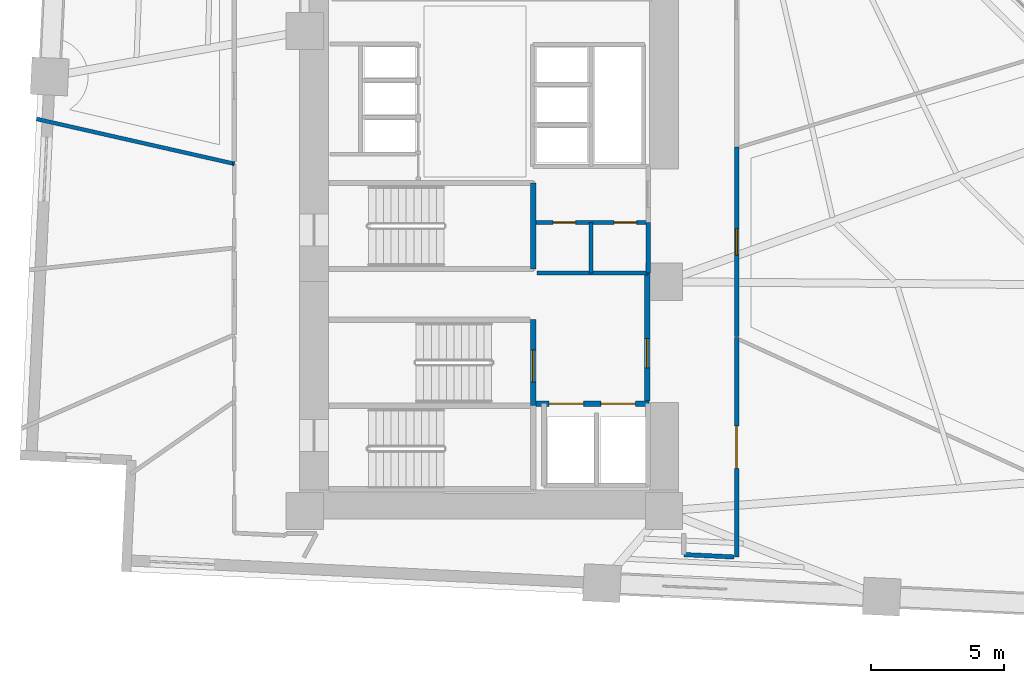
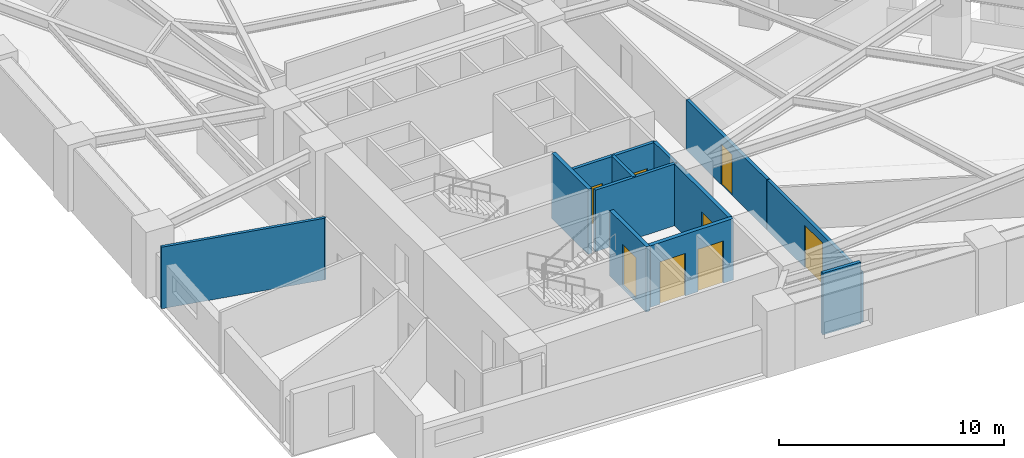
# One storey, part 14 of 18: 13 walls, 8 doors, 8 openings.
"""IFC4 building model written with IfcOpenShell, lengths in metres."""

from ifc_helpers import new_model, si_unit, direction, frame, frame_2d, origin, place, context, subcontext, project, spatial, rectangle, extrude, material, layer, layer_set, type_object, element, fill, save


model = new_model("IFC4")

# Units and contexts
model_context = context("Model", 3, precision=1e-05, world=origin(), true_north=direction((0.0, 1.0)))
body_context = subcontext(model_context, "Body", "Model", "MODEL_VIEW")
ifc_project = project(units=[si_unit("LENGTHUNIT", "METRE"), si_unit("AREAUNIT", "SQUARE_METRE"), si_unit("VOLUMEUNIT", "CUBIC_METRE"), si_unit("PLANEANGLEUNIT", "RADIAN"), si_unit("MASSUNIT", "GRAM", prefix="KILO")], contexts=[model_context])

# Site, building, storey
site_placement = place(None, origin())
site = spatial("IfcSite", under=ifc_project, at=site_placement, CompositionType="ELEMENT")
building_placement = place(site_placement, origin())
building = spatial("IfcBuilding", under=site, at=building_placement, Name="Narakoshi Arena Tower", CompositionType="ELEMENT")
storey_placement = place(building_placement, frame((0.0, 0.0, 44.699951171875)))
storey = spatial("IfcBuildingStorey", under=building, at=storey_placement, Name="L11", CompositionType="ELEMENT", Elevation=44.699951171875)

# Wall, opening, door
ifc_material_1 = material(Name="Gypsum plasterboard fire-rated partition")
ifc_layer_1 = layer(ifc_material_1, 0.1650390625)
ifc_layer_set_1 = layer_set([ifc_layer_1], Name="Gypsum plasterboard fire-rated partition")
wall_type_1 = type_object("IfcWallType", Name="WL-CORR-165", PredefinedType="PARTITIONING", material=ifc_layer_set_1)
wall_1_placement = place(storey_placement, frame((88.28759765625, 32.9619140625, 0.0), z_axis=(0.0, 0.0, 1.0), x_axis=(0.0, 1.0, 0.0)))
wall_1 = element("IfcWall", 1, at=wall_1_placement, inside=storey, type_object=wall_type_1, Name="L11 Corridor Partition 05-1", PredefinedType="PARTITIONING", context=body_context, shape_type="SweptSolid", body=[
    extrude(rectangle(XDim=8.291259765625, YDim=0.1650390625, at=frame_2d((4.1455078125, 0.0))), origin(), (0.0, 0.0, 1.0), 2.72509765625),
])
opening_1_placement = place(wall_1_placement, frame((3.345703125, 0.0, 0.0)))
opening_1 = element("IfcOpeningElement", 2, at=opening_1_placement, cuts=wall_1, Name="Opening D-05", PredefinedType="OPENING", context=body_context, shape_type="SweptSolid", body=[
    extrude(rectangle(XDim=1.60009765625, YDim=2.300048828125, at=frame_2d((0.800048828125, 1.14990234375))), frame((0.0, 0.092529296875, 0.0), z_axis=(0.0, -1.0, 0.0), x_axis=(1.0, 0.0, 0.0)), (0.0, 0.0, 1.0), 0.18505859375),
])
ifc_material_2 = material(Name="Stained oak solid-core timber", Category="wood")
door_type_1 = type_object("IfcDoorType", Name="DR-STE-1600", OperationType="DOUBLE_DOOR_SINGLE_SWING", PredefinedType="DOOR", material=ifc_material_2)
door_1_placement = place(opening_1_placement, frame((1.60009765625, 0.0, 0.0), z_axis=(0.0, 0.0, 1.0), x_axis=(-1.0, 0.0, 0.0)))
door_1 = element("IfcDoor", 3, at=door_1_placement, inside=storey, type_object=door_type_1, Name="DR-L11-018", OperationType="DOUBLE_DOOR_SINGLE_SWING", OverallHeight=2.300048828125, OverallWidth=1.60009765625, PredefinedType="DOOR", context=body_context, shape_type="SweptSolid", body=[
    extrude(rectangle(XDim=1.60009765625, YDim=2.300048828125, at=frame_2d((0.800048828125, 1.14990234375))), frame((0.0, 0.02490234375, 0.0), z_axis=(0.0, -1.0, 0.0), x_axis=(1.0, 0.0, 0.0)), (0.0, 0.0, 1.0), 0.050048828125),
])
fill(opening_1, door_1)

# Wall
wall_2_placement = place(storey_placement, frame((86.300048828125, 33.057373046875, 0.0), z_axis=(0.0, 0.0, 1.0), x_axis=(0.9988449969, -0.048048643777, 0.0)))
element("IfcWall", 4, at=wall_2_placement, inside=storey, type_object=wall_type_1, Name="L11 Corridor Partition 05-2", PredefinedType="PARTITIONING", context=body_context, shape_type="SweptSolid", body=[
    extrude(rectangle(XDim=1.895263671875, YDim=0.1650390625, at=frame_2d((0.94775390625, 0.0))), origin(), (0.0, 0.0, 1.0), 3.340087890625),
])

# Wall, opening, door
wall_3_placement = place(storey_placement, frame((88.28759765625, 41.279541015625, 0.0), z_axis=(0.0, 0.0, 1.0), x_axis=(0.0, 1.0, 0.0)))
wall_3 = element("IfcWall", 5, at=wall_3_placement, inside=storey, type_object=wall_type_1, Name="L11 Corridor Partition 06-1", PredefinedType="PARTITIONING", context=body_context, shape_type="SweptSolid", body=[
    extrude(rectangle(XDim=7.145263671875, YDim=0.1650390625, at=frame_2d((3.57275390625, 0.0))), origin(), (0.0, 0.0, 1.0), 2.72509765625),
])
opening_2_placement = place(wall_3_placement, frame((3.072509765625, 0.0, 0.0)))
opening_2 = element("IfcOpeningElement", 6, at=opening_2_placement, cuts=wall_3, Name="Opening D-06", PredefinedType="OPENING", context=body_context, shape_type="SweptSolid", body=[
    extrude(rectangle(XDim=1.0, YDim=2.199951171875, at=frame_2d((0.5, 1.10009765625))), frame((0.0, 0.092529296875, 0.0), z_axis=(0.0, -1.0, 0.0), x_axis=(1.0, 0.0, 0.0)), (0.0, 0.0, 1.0), 0.18505859375),
])
door_type_2 = type_object("IfcDoorType", Name="DR-OFF-1000", OperationType="NOTDEFINED", PredefinedType="DOOR", material=ifc_material_2)
door_2_placement = place(opening_2_placement, frame((1.0, 0.0, 0.0), z_axis=(0.0, 0.0, 1.0), x_axis=(-1.0, 0.0, 0.0)))
door_2 = element("IfcDoor", 7, at=door_2_placement, inside=storey, type_object=door_type_2, Name="DR-L11-019", OperationType="SINGLE_SWING_RIGHT", OverallHeight=2.199951171875, OverallWidth=1.0, PredefinedType="DOOR", context=body_context, shape_type="SweptSolid", body=[
    extrude(rectangle(XDim=1.0, YDim=2.199951171875, at=frame_2d((0.5, 1.10009765625))), frame((0.0, 0.02490234375, 0.0), z_axis=(0.0, -1.0, 0.0), x_axis=(1.0, 0.0, 0.0)), (0.0, 0.0, 1.0), 0.050048828125),
])
fill(opening_2, door_2)

# Wall
ifc_material_3 = material(Name="Concrete C40/50", Category="concrete")
ifc_layer_2 = layer(ifc_material_3, 0.280029296875)
ifc_layer_set_2 = layer_set([ifc_layer_2], Name="Concrete C40/50")
wall_type_2 = type_object("IfcWallType", Name="WL-RISER-280", PredefinedType="PLUMBINGWALL", material=ifc_layer_set_2)
wall_4_placement = place(storey_placement, frame((84.949951171875, 43.679931640625, 0.0), z_axis=(0.0, 0.0, 1.0), x_axis=(0.0, 1.0, 0.0)))
element("IfcWall", 8, at=wall_4_placement, inside=storey, type_object=wall_type_2, Name="L11 Core Wall RSR-E", PredefinedType="PLUMBINGWALL", context=body_context, shape_type="SweptSolid", body=[
    extrude(rectangle(XDim=1.900146484375, YDim=0.1650390625, at=frame_2d((0.9501953125, 0.0))), origin(), (0.0, 0.0, 1.0), 3.340087890625),
])

# Wall, openings, doors
wall_5_placement = place(storey_placement, frame((80.719970703125, 45.580078125, 0.0), z_axis=(0.0, 0.0, 1.0), x_axis=(1.0, 0.0, 0.0)))
wall_5 = element("IfcWall", 9, at=wall_5_placement, inside=storey, type_object=wall_type_2, Name="L11 Core Wall RSR-N", PredefinedType="PLUMBINGWALL", context=body_context, shape_type="SweptSolid", body=[
    extrude(rectangle(XDim=4.22998046875, YDim=0.159912109375, at=frame_2d((2.114990234375, 0.0))), origin(), (0.0, 0.0, 1.0), 3.340087890625),
])
opening_3_placement = place(wall_5_placement, frame((0.64990234375, 0.0, 0.0)))
opening_3 = element("IfcOpeningElement", 10, at=opening_3_placement, cuts=wall_5, Name="Opening D-10", PredefinedType="OPENING", context=body_context, shape_type="SweptSolid", body=[
    extrude(rectangle(XDim=0.85009765625, YDim=2.050048828125, at=frame_2d((0.425048828125, 1.02490234375))), frame((0.0, 0.08984375, 0.0), z_axis=(0.0, -1.0, 0.0), x_axis=(1.0, 0.0, 0.0)), (0.0, 0.0, 1.0), 0.179931640625),
])
opening_4_placement = place(wall_5_placement, frame((2.949951171875, 0.0, 0.0)))
opening_4 = element("IfcOpeningElement", 11, at=opening_4_placement, cuts=wall_5, Name="Opening D-10", PredefinedType="OPENING", context=body_context, shape_type="SweptSolid", body=[
    extrude(rectangle(XDim=0.85009765625, YDim=2.050048828125, at=frame_2d((0.425048828125, 1.02490234375))), frame((0.0, 0.08984375, 0.0), z_axis=(0.0, -1.0, 0.0), x_axis=(1.0, 0.0, 0.0)), (0.0, 0.0, 1.0), 0.179931640625),
])
ifc_material_4 = material(Name="Painted galvanized steel", Category="steel")
door_type_3 = type_object("IfcDoorType", Name="DR-RSR-850", OperationType="NOTDEFINED", PredefinedType="DOOR", material=ifc_material_4)
door_3_placement = place(opening_3_placement, frame((0.85009765625, 0.0, 0.0), z_axis=(0.0, 0.0, 1.0), x_axis=(-1.0, 0.0, 0.0)))
door_3 = element("IfcDoor", 12, at=door_3_placement, inside=storey, type_object=door_type_3, Name="DR-L11-008", OperationType="SINGLE_SWING_LEFT", OverallHeight=2.050048828125, OverallWidth=0.85009765625, PredefinedType="DOOR", context=body_context, shape_type="SweptSolid", body=[
    extrude(rectangle(XDim=0.85009765625, YDim=2.050048828125, at=frame_2d((0.425048828125, 1.02490234375))), frame((0.0, 0.02490234375, 0.0), z_axis=(0.0, -1.0, 0.0), x_axis=(1.0, 0.0, 0.0)), (0.0, 0.0, 1.0), 0.050048828125),
])
fill(opening_3, door_3)
door_4_placement = place(opening_4_placement, frame((0.85009765625, 0.0, 0.0), z_axis=(0.0, 0.0, 1.0), x_axis=(-1.0, 0.0, 0.0)))
door_4 = element("IfcDoor", 13, at=door_4_placement, inside=storey, type_object=door_type_3, Name="DR-L11-009", OperationType="SINGLE_SWING_RIGHT", OverallHeight=2.050048828125, OverallWidth=0.85009765625, PredefinedType="DOOR", context=body_context, shape_type="SweptSolid", body=[
    extrude(rectangle(XDim=0.85009765625, YDim=2.050048828125, at=frame_2d((0.425048828125, 1.02490234375))), frame((0.0, 0.02490234375, 0.0), z_axis=(0.0, -1.0, 0.0), x_axis=(1.0, 0.0, 0.0)), (0.0, 0.0, 1.0), 0.050048828125),
])
fill(opening_4, door_4)

# Walls
wall_6_placement = place(storey_placement, frame((80.760009765625, 43.679931640625, 0.0), z_axis=(0.0, 0.0, 1.0), x_axis=(1.0, 0.0, 0.0)))
element("IfcWall", 14, at=wall_6_placement, inside=storey, type_object=wall_type_2, Name="L11 Core Wall RSR-S", PredefinedType="PLUMBINGWALL", context=body_context, shape_type="SweptSolid", body=[
    extrude(rectangle(XDim=4.18994140625, YDim=0.159912109375, at=frame_2d((2.094970703125, 0.0))), origin(), (0.0, 0.0, 1.0), 3.340087890625),
])
wall_7_placement = place(storey_placement, frame((82.800048828125, 43.679931640625, 0.0), z_axis=(0.0, 0.0, 1.0), x_axis=(0.0, 1.0, 0.0)))
element("IfcWall", 15, at=wall_7_placement, inside=storey, type_object=wall_type_2, Name="L11 Core Wall RSR-M", PredefinedType="PLUMBINGWALL", context=body_context, shape_type="SweptSolid", body=[
    extrude(rectangle(XDim=1.900146484375, YDim=0.159912109375, at=frame_2d((0.9501953125, 0.0))), origin(), (0.0, 0.0, 1.0), 3.340087890625),
])

# Wall, opening, door
ifc_material_5 = material(Name="Concrete C50/60", Category="concrete")
ifc_layer_3 = layer(ifc_material_5, 0.35009765625)
ifc_layer_set_3 = layer_set([ifc_layer_3], Name="Concrete C50/60")
wall_type_3 = type_object("IfcWallType", Name="WL-SHAFT-350", PredefinedType="SOLIDWALL", material=ifc_layer_set_3)
wall_8_placement = place(storey_placement, frame((80.6201171875, 38.675048828125, -0.199951171875), z_axis=(0.0, 0.0, 1.0), x_axis=(0.0, 1.0, 0.0)))
wall_8 = element("IfcWall", 16, at=wall_8_placement, inside=storey, type_object=wall_type_3, Name="L11 Core Wall ST2-E", PredefinedType="SOLIDWALL", context=body_context, shape_type="SweptSolid", body=[
    extrude(rectangle(XDim=3.244873046875, YDim=0.199951171875, at=frame_2d((1.62255859375, 0.0))), origin(), (0.0, 0.0, 1.0), 3.5400390625),
])
opening_5_placement = place(wall_8_placement, frame((0.89990234375, 0.0, 0.199951171875)))
opening_5 = element("IfcOpeningElement", 17, at=opening_5_placement, cuts=wall_8, Name="Opening D-03", PredefinedType="OPENING", context=body_context, shape_type="SweptSolid", body=[
    extrude(rectangle(XDim=1.199951171875, YDim=2.199951171875, at=frame_2d((0.60009765625, 1.10009765625))), frame((0.0, 0.10986328125, 0.0), z_axis=(0.0, -1.0, 0.0), x_axis=(1.0, 0.0, 0.0)), (0.0, 0.0, 1.0), 0.219970703125),
])
door_type_4 = type_object("IfcDoorType", Name="DR-STR-1200", OperationType="NOTDEFINED", PredefinedType="USERDEFINED", material=ifc_material_4)
door_5_placement = place(opening_5_placement, origin())
door_5 = element("IfcDoor", 18, at=door_5_placement, inside=storey, type_object=door_type_4, Name="DR-L11-002", ObjectType="EXITDOOR", OperationType="SINGLE_SWING_RIGHT", OverallHeight=2.199951171875, OverallWidth=1.199951171875, PredefinedType="USERDEFINED", context=body_context, shape_type="SweptSolid", body=[
    extrude(rectangle(XDim=1.199951171875, YDim=2.199951171875, at=frame_2d((0.60009765625, 1.10009765625))), frame((0.0, 0.02490234375, 0.0), z_axis=(0.0, -1.0, 0.0), x_axis=(1.0, 0.0, 0.0)), (0.0, 0.0, 1.0), 0.050048828125),
])
fill(opening_5, door_5)

# Wall, openings, doors
wall_9_placement = place(storey_placement, frame((80.719970703125, 38.75, 0.0), z_axis=(0.0, 0.0, 1.0), x_axis=(1.0, 0.0, 0.0)))
wall_9 = element("IfcWall", 19, at=wall_9_placement, inside=storey, type_object=wall_type_3, Name="L11 Core Wall FF-N", PredefinedType="SOLIDWALL", context=body_context, shape_type="SweptSolid", body=[
    extrude(rectangle(XDim=4.260009765625, YDim=0.199951171875, at=frame_2d((2.1298828125, 0.0))), origin(), (0.0, 0.0, 1.0), 3.340087890625),
])
opening_6_placement = place(wall_9_placement, frame((0.5, 0.0, 0.0)))
opening_6 = element("IfcOpeningElement", 20, at=opening_6_placement, cuts=wall_9, Name="Opening LD-02", PredefinedType="OPENING", context=body_context, shape_type="SweptSolid", body=[
    extrude(rectangle(XDim=1.300048828125, YDim=2.300048828125, at=frame_2d((0.64990234375, 1.14990234375))), frame((0.0, 0.10986328125, 0.0), z_axis=(0.0, -1.0, 0.0), x_axis=(1.0, 0.0, 0.0)), (0.0, 0.0, 1.0), 0.219970703125),
])
opening_7_placement = place(wall_9_placement, frame((2.449951171875, 0.0, 0.0)))
opening_7 = element("IfcOpeningElement", 21, at=opening_7_placement, cuts=wall_9, Name="Opening LD-02", PredefinedType="OPENING", context=body_context, shape_type="SweptSolid", body=[
    extrude(rectangle(XDim=1.300048828125, YDim=2.300048828125, at=frame_2d((0.64990234375, 1.14990234375))), frame((0.0, 0.10986328125, 0.0), z_axis=(0.0, -1.0, 0.0), x_axis=(1.0, 0.0, 0.0)), (0.0, 0.0, 1.0), 0.219970703125),
])
ifc_material_6 = material(Name="Brushed bronze stainless steel", Category="steel")
door_type_5 = type_object("IfcDoorType", Name="DR-LFT-1300", OperationType="DOUBLE_DOOR_SLIDING", PredefinedType="DOOR", material=ifc_material_6)
door_6_placement = place(opening_6_placement, origin())
door_6 = element("IfcDoor", 22, at=door_6_placement, inside=storey, type_object=door_type_5, Name="DR-L11-003", OperationType="DOUBLE_DOOR_SLIDING", OverallHeight=2.300048828125, OverallWidth=1.300048828125, PredefinedType="DOOR", context=body_context, shape_type="SweptSolid", body=[
    extrude(rectangle(XDim=1.300048828125, YDim=2.300048828125, at=frame_2d((0.64990234375, 1.14990234375))), frame((0.0, 0.02490234375, 0.0), z_axis=(0.0, -1.0, 0.0), x_axis=(1.0, 0.0, 0.0)), (0.0, 0.0, 1.0), 0.050048828125),
])
fill(opening_6, door_6)
door_7_placement = place(opening_7_placement, origin())
door_7 = element("IfcDoor", 23, at=door_7_placement, inside=storey, type_object=door_type_5, Name="DR-L11-004", OperationType="DOUBLE_DOOR_SLIDING", OverallHeight=2.300048828125, OverallWidth=1.300048828125, PredefinedType="DOOR", context=body_context, shape_type="SweptSolid", body=[
    extrude(rectangle(XDim=1.300048828125, YDim=2.300048828125, at=frame_2d((0.64990234375, 1.14990234375))), frame((0.0, 0.02490234375, 0.0), z_axis=(0.0, -1.0, 0.0), x_axis=(1.0, 0.0, 0.0)), (0.0, 0.0, 1.0), 0.050048828125),
])
fill(opening_7, door_7)

# Wall, opening, door
wall_10_placement = place(storey_placement, frame((84.919921875, 38.85009765625, 0.0), z_axis=(0.0, 0.0, 1.0), x_axis=(0.0, 1.0, 0.0)))
wall_10 = element("IfcWall", 24, at=wall_10_placement, inside=storey, type_object=wall_type_3, Name="L11 Core Wall FFLOB-E", PredefinedType="SOLIDWALL", context=body_context, shape_type="SweptSolid", body=[
    extrude(rectangle(XDim=4.829833984375, YDim=0.199951171875, at=frame_2d((2.4150390625, 0.0))), origin(), (0.0, 0.0, 1.0), 3.340087890625),
])
opening_8_placement = place(wall_10_placement, frame((1.25, 0.0, 0.0)))
opening_8 = element("IfcOpeningElement", 25, at=opening_8_placement, cuts=wall_10, Name="Opening D-04", PredefinedType="OPENING", context=body_context, shape_type="SweptSolid", body=[
    extrude(rectangle(XDim=1.10009765625, YDim=2.199951171875, at=frame_2d((0.550048828125, 1.10009765625))), frame((0.0, 0.10986328125, 0.0), z_axis=(0.0, -1.0, 0.0), x_axis=(1.0, 0.0, 0.0)), (0.0, 0.0, 1.0), 0.219970703125),
])
door_type_6 = type_object("IfcDoorType", Name="DR-FFL-1100", OperationType="NOTDEFINED", PredefinedType="DOOR", material=ifc_material_4)
door_8_placement = place(opening_8_placement, frame((1.10009765625, 0.0, 0.0), z_axis=(0.0, 0.0, 1.0), x_axis=(-1.0, 0.0, 0.0)))
door_8 = element("IfcDoor", 26, at=door_8_placement, inside=storey, type_object=door_type_6, Name="DR-L11-005", OperationType="SINGLE_SWING_RIGHT", OverallHeight=2.199951171875, OverallWidth=1.10009765625, PredefinedType="DOOR", context=body_context, shape_type="SweptSolid", body=[
    extrude(rectangle(XDim=1.10009765625, YDim=2.199951171875, at=frame_2d((0.550048828125, 1.10009765625))), frame((0.0, 0.02490234375, 0.0), z_axis=(0.0, -1.0, 0.0), x_axis=(1.0, 0.0, 0.0)), (0.0, 0.0, 1.0), 0.050048828125),
])
fill(opening_8, door_8)

# Walls
wall_11_placement = place(storey_placement, frame((80.6201171875, 43.830078125, -0.199951171875), z_axis=(0.0, 0.0, 1.0), x_axis=(0.0, 1.0, 0.0)))
element("IfcWall", 27, at=wall_11_placement, inside=storey, type_object=wall_type_3, Name="L11 Core Wall ST3-E", PredefinedType="SOLIDWALL", context=body_context, shape_type="SweptSolid", body=[
    extrude(rectangle(XDim=3.239990234375, YDim=0.199951171875, at=frame_2d((1.6201171875, 0.0))), origin(), (0.0, 0.0, 1.0), 3.5400390625),
])
ifc_material_7 = material(Name="Moisture-resistant cement-board partition")
ifc_layer_4 = layer(ifc_material_7, 0.14501953125)
ifc_layer_set_4 = layer_set([ifc_layer_4], Name="Moisture-resistant cement-board partition")
wall_type_4 = type_object("IfcWallType", Name="WL-WET-145", PredefinedType="PARTITIONING", material=ifc_layer_set_4)
wall_12_placement = place(storey_placement, frame((69.280029296875, 47.811767578125, 0.0), z_axis=(0.0, 0.0, 1.0), x_axis=(0.974190578374, -0.225727085233, 0.0)))
element("IfcWall", 28, at=wall_12_placement, inside=storey, type_object=wall_type_4, Name="L11 Corridor Partition 01-2", PredefinedType="PARTITIONING", context=body_context, shape_type="SweptSolid", body=[
    extrude(rectangle(XDim=0.061767578125, YDim=0.14501953125, at=frame_2d((0.03076171875, 0.0))), origin(), (0.0, 0.0, 1.0), 3.340087890625),
])
wall_13_placement = place(storey_placement, frame((61.87548828125, 49.48974609375, 0.0), z_axis=(0.0, 0.0, 1.0), x_axis=(0.975255899725, -0.221079013143, 0.0)))
element("IfcWall", 29, at=wall_13_placement, inside=storey, type_object=wall_type_4, Name="L11 Inter-Room Partition 01-09", PredefinedType="PARTITIONING", context=body_context, shape_type="SweptSolid", body=[
    extrude(rectangle(XDim=7.592041015625, YDim=0.14501953125, at=frame_2d((3.7958984375, 0.0))), origin(), (0.0, 0.0, 1.0), 3.340087890625),
])

save(model, "model.ifc")
